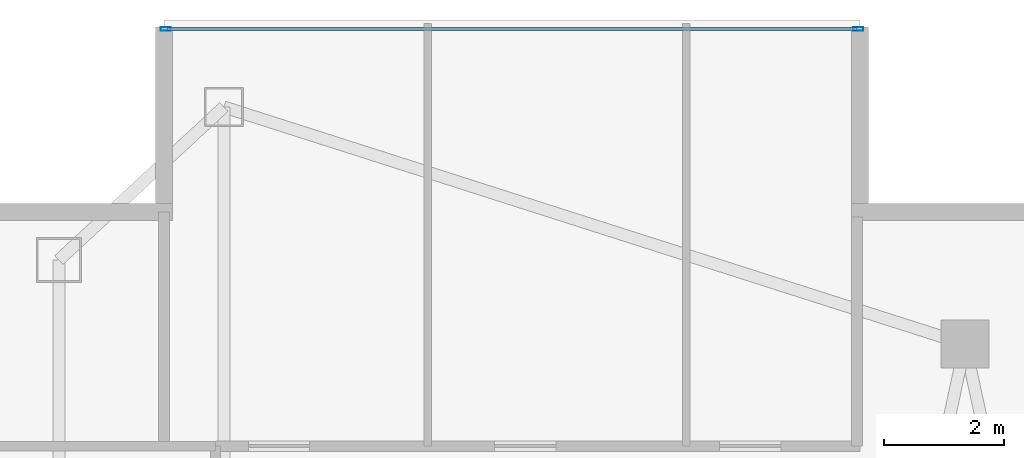
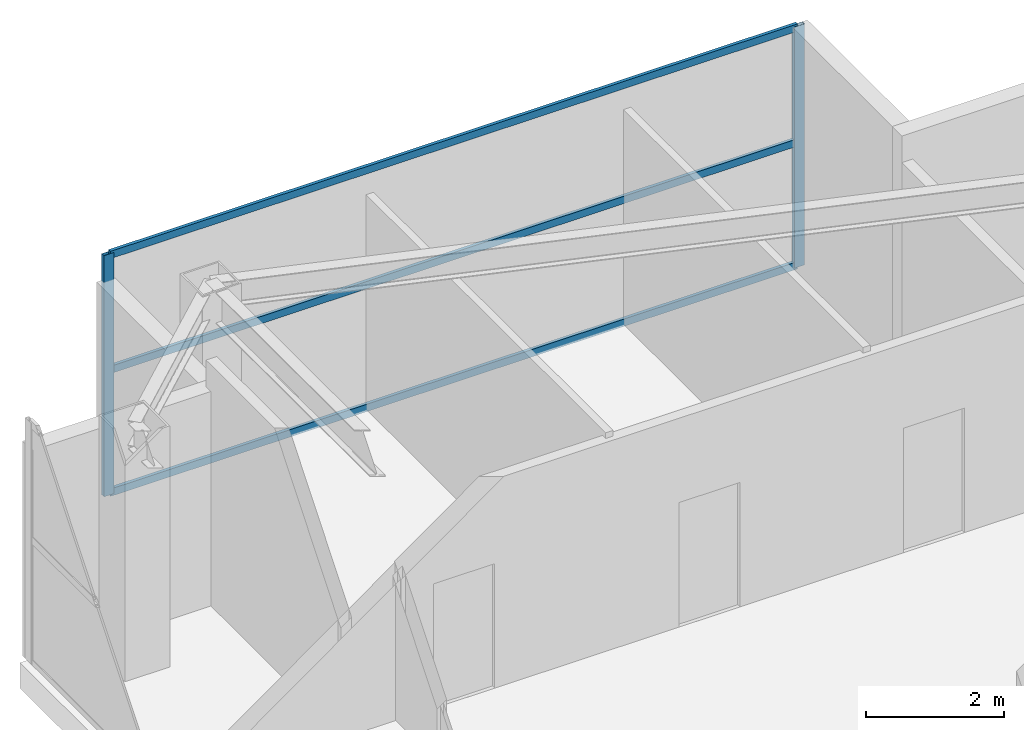
# One storey, part 19 of 25: 5 members, 1 element without a shape of its own.
"""IFC4 building model written with IfcOpenShell, lengths in metres."""

from ifc_helpers import new_model, si_unit, direction, frame, origin, origin_2d, place, context, subcontext, project, spatial, hollow_rectangle, extrude, material, layer, layer_set, material_profile, profile_set, type_object, element, aggregate, save


model = new_model("IFC4")

# Units and contexts
model_context = context("Model", 3, precision=1e-05, world=origin(), true_north=direction((0.0, 1.0)))
body_context = subcontext(model_context, "Body", "Model", "MODEL_VIEW")
ifc_project = project(units=[si_unit("LENGTHUNIT", "METRE"), si_unit("AREAUNIT", "SQUARE_METRE"), si_unit("VOLUMEUNIT", "CUBIC_METRE"), si_unit("PLANEANGLEUNIT", "RADIAN"), si_unit("MASSUNIT", "GRAM", prefix="KILO")], contexts=[model_context])

# Site, building, storey
site_placement = place(None, origin())
site = spatial("IfcSite", under=ifc_project, at=site_placement, CompositionType="ELEMENT")
building_placement = place(site_placement, origin())
building = spatial("IfcBuilding", under=site, at=building_placement, Name="Calvorn Quay Hotel", CompositionType="ELEMENT")
storey_placement = place(building_placement, frame((0.0, 0.0, 307.0)))
storey = spatial("IfcBuildingStorey", under=building, at=storey_placement, Name="L76", CompositionType="ELEMENT", Elevation=307.0)

# Curtain wall, members
ifc_material_1 = material(Name="Champagne Bronze Anodised Aluminium and Low-E Glass", Category="aluminium")
ifc_layer = layer(ifc_material_1, 0.219970703125)
ifc_layer_set = layer_set([ifc_layer], Name="CW-SYS-Z4")
curtain_wall_type = type_object("IfcCurtainWallType", Name="CW-SYS-Z4", PredefinedType="NOTDEFINED", material=ifc_layer_set)
curtain_wall_placement = place(storey_placement, origin())
curtain_wall = element("IfcCurtainWall", 1, at=curtain_wall_placement, inside=storey, type_object=curtain_wall_type, Name="Inner Court Curtain Wall L76-N1", PredefinedType="NOTDEFINED")
ifc_material_2 = material(Name="Champagne Bronze Anodised Aluminium 6063-T6", Category="aluminium")
ifc_material_profile_1 = material_profile(ifc_material_2, hollow_rectangle(XDim=0.06494140625, YDim=0.169921875, WallThickness=0.00341796875, at=origin_2d()), Name="ALU-M170x65x3.5")
ifc_profile_set_1 = profile_set([ifc_material_profile_1], Name="Champagne Bronze Anodised Aluminium 6063-T6")
member_type_1 = type_object("IfcMemberType", Name="CW-SYS-Z4-MUL", PredefinedType="MULLION", material=ifc_profile_set_1)
member_1_placement = place(storey_placement, frame((14.77001953125, 50.85009765625, 0.0), z_axis=(0.0, 0.0, 1.0), x_axis=(0.0, -1.0, 0.0)))
member_1 = element("IfcMember", 2, at=member_1_placement, type_object=member_type_1, Name="CW-L76-N1 mullion 1", PredefinedType="MULLION", context=body_context, shape_type="SweptSolid", body=[
    extrude(hollow_rectangle(XDim=0.06494140625, YDim=0.169921875, WallThickness=0.00341796875, at=origin_2d()), origin(), (0.0, 0.0, 1.0), 4.260009765625),
])
member_2_placement = place(storey_placement, frame((3.22998046875, 50.85009765625, 0.0), z_axis=(0.0, 0.0, 1.0), x_axis=(0.0, -1.0, 0.0)))
member_2 = element("IfcMember", 3, at=member_2_placement, type_object=member_type_1, Name="CW-L76-N1 mullion 2", PredefinedType="MULLION", context=body_context, shape_type="SweptSolid", body=[
    extrude(hollow_rectangle(XDim=0.06494140625, YDim=0.169921875, WallThickness=0.00341796875, at=origin_2d()), origin(), (0.0, 0.0, 1.0), 4.260009765625),
])
ifc_material_3 = material(Name="Champagne Bronze Anodised Aluminium 6063-T6", Category="aluminium")
ifc_material_profile_2 = material_profile(ifc_material_3, hollow_rectangle(XDim=0.054931640625, YDim=0.1298828125, WallThickness=0.003173828125, at=origin_2d()), Name="ALU-T130x55x3.2")
ifc_profile_set_2 = profile_set([ifc_material_profile_2], Name="Champagne Bronze Anodised Aluminium 6063-T6")
member_type_2 = type_object("IfcMemberType", Name="CW-SYS-Z4-TRN", PredefinedType="USERDEFINED", material=ifc_profile_set_2)
member_3_placement = place(storey_placement, frame((14.739990234375, 50.85009765625, 0.030029296875), z_axis=(-1.0, 0.0, 0.0), x_axis=(0.0, -1.0, 0.0)))
member_3 = element("IfcMember", 4, at=member_3_placement, type_object=member_type_2, Name="CW-L76-N1 transom 1.1", ObjectType="TRANSOM", PredefinedType="USERDEFINED", context=body_context, shape_type="SweptSolid", body=[
    extrude(hollow_rectangle(XDim=0.054931640625, YDim=0.1298828125, WallThickness=0.003173828125, at=origin_2d()), origin(), (0.0, 0.0, 1.0), 11.47998046875),
])
member_4_placement = place(storey_placement, frame((14.739990234375, 50.85009765625, 2.199951171875), z_axis=(-1.0, 0.0, 0.0), x_axis=(0.0, -1.0, 0.0)))
member_4 = element("IfcMember", 5, at=member_4_placement, type_object=member_type_2, Name="CW-L76-N1 transom 1.2", ObjectType="TRANSOM", PredefinedType="USERDEFINED", context=body_context, shape_type="SweptSolid", body=[
    extrude(hollow_rectangle(XDim=0.054931640625, YDim=0.1298828125, WallThickness=0.003173828125, at=origin_2d()), origin(), (0.0, 0.0, 1.0), 11.47998046875),
])
member_5_placement = place(storey_placement, frame((14.739990234375, 50.85009765625, 4.22998046875), z_axis=(-1.0, 0.0, 0.0), x_axis=(0.0, -1.0, 0.0)))
member_5 = element("IfcMember", 6, at=member_5_placement, type_object=member_type_2, Name="CW-L76-N1 transom 1.3", ObjectType="TRANSOM", PredefinedType="USERDEFINED", context=body_context, shape_type="SweptSolid", body=[
    extrude(hollow_rectangle(XDim=0.054931640625, YDim=0.1298828125, WallThickness=0.003173828125, at=origin_2d()), origin(), (0.0, 0.0, 1.0), 11.47998046875),
])
aggregate(curtain_wall, [member_1, member_2, member_3, member_4, member_5])

save(model, "model.ifc")
